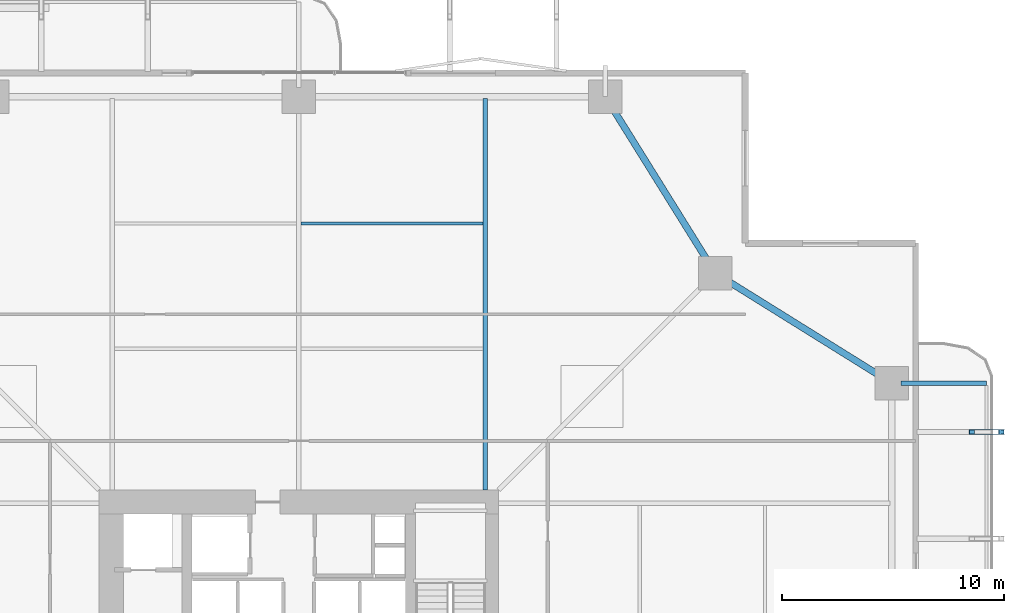
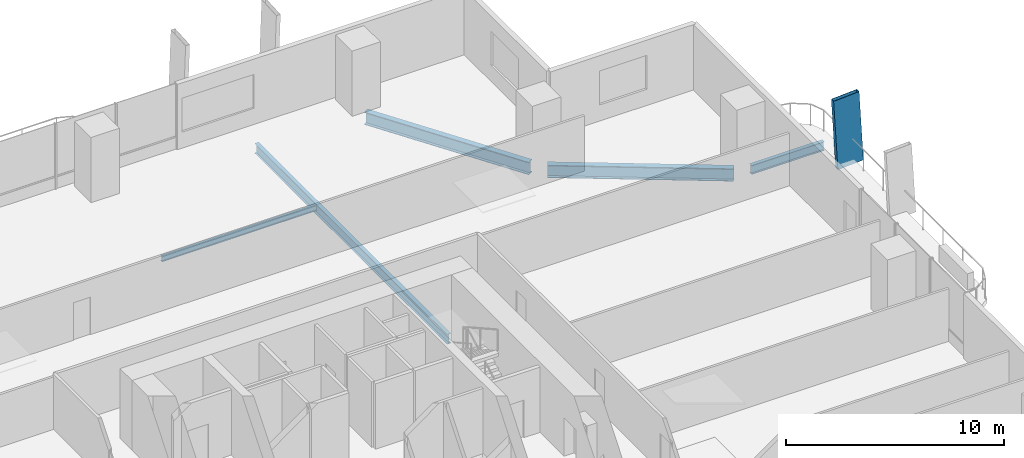
# One storey, part 14 of 24: 5 beams, 1 member.
"""IFC4 building model written with IfcOpenShell, lengths in metres."""

import ifcopenshell
import ifcopenshell.guid

model = None  # the IFC model being written
_history = None  # IfcOwnerHistory: only IFC2X3 demands one
_inside = {}  # id of a spatial element -> (the spatial element, [elements in it])
_under = {}  # id of a project, library or spatial element -> (it, [spatial elements below it])
_declared = {}  # id of a project -> (the project, [libraries it declares])
_typed = {}  # id of a type object -> (the type object, [elements of that type])
_made_of = {}  # id of a material, layer set ... -> (it, [elements and type objects made of it])


def new_model(schema):
    """Start an empty IFC model of exactly this schema.

    Asked for "IFC4X3", IfcOpenShell would pick the latest addendum, in which some entities
    have other attributes; the version numbers below select the first issue.
    IFC2X3 requires an IfcOwnerHistory on every rooted entity: one is made here for all.
    """
    global model, _history
    if schema == "IFC4X3":
        model = ifcopenshell.file(schema_version=(4, 3, 0, 0))
    else:
        model = ifcopenshell.file(schema=schema)
    _inside.clear()
    _under.clear()
    _declared.clear()
    _typed.clear()
    _made_of.clear()
    _history = None
    if model.schema == "IFC2X3":
        org = make("IfcOrganization", Name="unknown")
        user = make(
            "IfcPersonAndOrganization",
            ThePerson=make("IfcPerson", FamilyName="unknown"),
            TheOrganization=org,
        )
        app = make(
            "IfcApplication",
            ApplicationDeveloper=org,
            Version="unknown",
            ApplicationFullName="unknown",
            ApplicationIdentifier="unknown",
        )
        _history = make(
            "IfcOwnerHistory",
            OwningUser=user,
            OwningApplication=app,
            ChangeAction="ADDED",
            CreationDate=0,
        )
    return model


def make(cls, **values):
    """One entity of the class cls with the attributes given. An attribute that is None is left unset."""
    return model.create_entity(
        cls, **{name: value for name, value in values.items() if value is not None}
    )


def rooted(cls, **values):
    """An entity with a GlobalId (a new one), such as an element, a storey or a relation."""
    return make(cls, GlobalId=ifcopenshell.guid.new(), OwnerHistory=_history, **values)


def si_unit(unit_type, name, prefix=None):
    """IfcSIUnit, for example si_unit("LENGTHUNIT", "METRE", prefix="MILLI")."""
    return make("IfcSIUnit", UnitType=unit_type, Prefix=prefix, Name=name)


def assignment(units):
    """IfcUnitAssignment: the units of a project."""
    return None if units is None else make("IfcUnitAssignment", Units=units)


def point(xyz):
    """IfcCartesianPoint."""
    return None if xyz is None else make("IfcCartesianPoint", Coordinates=xyz)


def direction(xyz):
    """IfcDirection."""
    return None if xyz is None else make("IfcDirection", DirectionRatios=xyz)


def frame(location, z_axis=None, x_axis=None):
    """IfcAxis2Placement3D, a coordinate frame: its origin and axes. An axis left out is left unset."""
    return make(
        "IfcAxis2Placement3D",
        Location=point(location),
        Axis=direction(z_axis),
        RefDirection=direction(x_axis),
    )


def frame_2d(location, x_axis=None):
    """IfcAxis2Placement2D, a coordinate frame in the plane: its origin and x axis."""
    return make(
        "IfcAxis2Placement2D", Location=point(location), RefDirection=direction(x_axis)
    )


def origin():
    """The frame at (0, 0, 0) with its axes left unset."""
    return frame((0.0, 0.0, 0.0))


def origin_2d():
    """The frame at (0, 0) in the plane with its x axis left unset."""
    return frame_2d((0.0, 0.0))


def place(relative_to, where):
    """IfcLocalPlacement: puts the frame where relative to a parent placement (None: the world)."""
    return make(
        "IfcLocalPlacement", PlacementRelTo=relative_to, RelativePlacement=where
    )


def context(
    kind, dimensions, precision=None, world=None, true_north=None, identifier=None
):
    """IfcGeometricRepresentationContext, for example the 3D "Model" context."""
    return make(
        "IfcGeometricRepresentationContext",
        ContextIdentifier=identifier,
        ContextType=kind,
        CoordinateSpaceDimension=dimensions,
        Precision=precision,
        WorldCoordinateSystem=world,
        TrueNorth=true_north,
    )


def subcontext(parent, identifier, kind, view, scale=None):
    """IfcGeometricRepresentationSubContext, for example "Body" below "Model"."""
    return make(
        "IfcGeometricRepresentationSubContext",
        ContextIdentifier=identifier,
        ContextType=kind,
        ParentContext=parent,
        TargetScale=scale,
        TargetView=view,
    )


def project(units=None, contexts=None):
    """IfcProject with its units and contexts."""
    return rooted(
        "IfcProject",
        Name="project",
        RepresentationContexts=contexts,
        UnitsInContext=assignment(units),
    )


def spatial(cls, under=None, at=None, **own):
    """A site, building, storey or space (cls), placed at a placement, below another one or the project."""
    s = rooted(cls, ObjectPlacement=at, **own)
    if under is not None:
        _under.setdefault(under.id(), (under, []))[1].append(s)
    return s


def profile(cls, at=None, kind="AREA", **sizes):
    """A parametric profile (cls). Its sizes go by their IFC names, for example OverallWidth=200.0."""
    return make(cls, ProfileType=kind, Position=at, **sizes)


def hollow_rectangle(**sizes):
    """IfcRectangleHollowProfileDef."""
    return profile("IfcRectangleHollowProfileDef", **sizes)


def i_section(**sizes):
    """IfcIShapeProfileDef."""
    return profile("IfcIShapeProfileDef", **sizes)


def extrude(swept, where, along, depth):
    """IfcExtrudedAreaSolid: the profile swept, set in the frame where, extruded along a direction by depth."""
    return make(
        "IfcExtrudedAreaSolid",
        SweptArea=swept,
        Position=where,
        ExtrudedDirection=direction(along),
        Depth=depth,
    )


def shape(context_of_items, identifier, shape_type, items):
    """IfcShapeRepresentation: the items that make up one representation, for example the "Body"."""
    return make(
        "IfcShapeRepresentation",
        ContextOfItems=context_of_items,
        RepresentationIdentifier=identifier,
        RepresentationType=shape_type,
        Items=items,
    )


def material(Name=None, Category=None):
    """IfcMaterial."""
    return make("IfcMaterial", Name=Name, Category=Category)


def material_profile(
    of_material, cross_section, Name=None, Category=None, Priority=None
):
    """IfcMaterialProfile: a cross section and its material."""
    return make(
        "IfcMaterialProfile",
        Name=Name,
        Material=of_material,
        Profile=cross_section,
        Priority=Priority,
        Category=Category,
    )


def profile_set(profiles, Name=None, composite=None):
    """IfcMaterialProfileSet."""
    return make(
        "IfcMaterialProfileSet",
        Name=Name,
        MaterialProfiles=profiles,
        CompositeProfile=composite,
    )


def made_of(thing, what):
    """Note that an element or type object is made of a material, layer set ...; save() writes the relation."""
    if what is not None:
        _made_of.setdefault(what.id(), (what, []))[1].append(thing)
    return thing


def type_object(cls, material=None, **own):
    """A type object (cls), such as IfcWallType, which elements share."""
    return made_of(rooted(cls, **own), material)


def element(
    cls,
    number,
    at=None,
    inside=None,
    cuts=None,
    type_object=None,
    material=None,
    context=None,
    identifier="Body",
    shape_type=None,
    held_by="IfcProductDefinitionShape",
    body=None,
    shapes=None,
    **own,
):
    """One element of the class cls, such as IfcWall. Its Tag is "e" and its number.

    at: its placement. inside: the storey or other place that contains it. cuts: it is an
    opening in that element (IfcRelVoidsElement). A single representation is given by context,
    identifier, shape_type and body (its items); several are given by shapes. held_by: the class
    of the entity that holds the representations. save() writes the other relations.
    """
    e = rooted(cls, Tag="e%d" % number, ObjectPlacement=at, **own)
    if body is not None:
        shapes = [shape(context, identifier, shape_type, body)]
    if shapes is not None:
        e.Representation = make(held_by, Representations=shapes)
    if inside is not None:
        _inside.setdefault(inside.id(), (inside, []))[1].append(e)
    if cuts is not None:
        rooted(
            "IfcRelVoidsElement", RelatingBuildingElement=cuts, RelatedOpeningElement=e
        )
    if type_object is not None:
        _typed.setdefault(type_object.id(), (type_object, []))[1].append(e)
    return made_of(e, material)


def aggregate(whole, parts):
    """IfcRelAggregates: a whole, such as a stair, and the parts it consists of."""
    return rooted("IfcRelAggregates", RelatingObject=whole, RelatedObjects=parts)


def save(model, path):
    """Write the relations noted so far, then the file.

    IfcRelAggregates (storeys below a building ...), IfcRelContainedInSpatialStructure (elements
    in a storey), IfcRelDefinesByType, IfcRelAssociatesMaterial and IfcRelDeclares: one each for
    every whole, place, type object, material and project.
    """
    for whole, parts in _under.values():
        aggregate(whole, parts)
    for where, things in _inside.values():
        rooted(
            "IfcRelContainedInSpatialStructure",
            RelatedElements=things,
            RelatingStructure=where,
        )
    for kind, things in _typed.values():
        rooted("IfcRelDefinesByType", RelatedObjects=things, RelatingType=kind)
    for what, things in _made_of.values():
        rooted("IfcRelAssociatesMaterial", RelatedObjects=things, RelatingMaterial=what)
    for by, libraries in _declared.values():
        rooted("IfcRelDeclares", RelatingContext=by, RelatedDefinitions=libraries)
    model.write(path)


model = new_model("IFC4")

# Units and contexts
model_context = context("Model", 3, precision=1e-05, world=origin(), true_north=direction((0.0, 1.0)))
body_context = subcontext(model_context, "Body", "Model", "MODEL_VIEW")
ifc_project = project(units=[si_unit("LENGTHUNIT", "METRE"), si_unit("AREAUNIT", "SQUARE_METRE"), si_unit("VOLUMEUNIT", "CUBIC_METRE"), si_unit("PLANEANGLEUNIT", "RADIAN"), si_unit("MASSUNIT", "GRAM", prefix="KILO")], contexts=[model_context])

# Site, building, storey
site_placement = place(None, origin())
site = spatial("IfcSite", under=ifc_project, at=site_placement, CompositionType="ELEMENT")
building_placement = place(site_placement, origin())
building = spatial("IfcBuilding", under=site, at=building_placement, Name="Belovzor Exchange Tower", CompositionType="ELEMENT")
storey_placement = place(building_placement, frame((0.0, 0.0, 37.800048828125)))
storey = spatial("IfcBuildingStorey", under=building, at=storey_placement, Name="L08", CompositionType="ELEMENT", Elevation=37.800048828125)

# Member
ifc_material_1 = material(Name="Extruded Architectural Terracotta on Steel S355 Carrier", Category="masonry")
ifc_material_profile_1 = material_profile(ifc_material_1, hollow_rectangle(XDim=0.219970703125, YDim=1.35009765625, WallThickness=0.013916015625, at=origin_2d()))
ifc_profile_set_1 = profile_set([ifc_material_profile_1], Name="Extruded Architectural Terracotta on Steel S355 Carrier")
member_type = type_object("IfcMemberType", Name="Base Arc Sweeping Terracotta Pylon Fin 1450", PredefinedType="USERDEFINED", material=ifc_profile_set_1)
member_placement = place(storey_placement, frame((59.873046875, 40.39990234375, -0.25), z_axis=(-0.058121188646, 0.0, 0.998309534879), x_axis=(0.0, -1.0, 0.0)))
element("IfcMember", 1, at=member_placement, inside=storey, type_object=member_type, Name="FIN-TC145 Terracotta Facade Fin L08 E4", ObjectType="FIN", PredefinedType="USERDEFINED", context=body_context, shape_type="SweptSolid", body=[
    extrude(hollow_rectangle(XDim=0.219970703125, YDim=1.35009765625, WallThickness=0.013916015625, at=origin_2d()), origin(), (0.0, 0.0, 1.0), 3.906494140625),
])

# Beams
ifc_material_2 = material(Name="Steel S355", Category="steel")
ifc_material_profile_2 = material_profile(ifc_material_2, i_section(OverallWidth=0.199951171875, OverallDepth=0.5, WebThickness=0.01025390625, FlangeThickness=0.01611328125, at=origin_2d()))
ifc_profile_set_2 = profile_set([ifc_material_profile_2], Name="Steel S355")
beam_type_1 = type_object("IfcBeamType", Name="Planted Balcony Cantilever Beam IPE 500", PredefinedType="BEAM", material=ifc_profile_set_2)
beam_1_placement = place(storey_placement, frame((55.9130859375, 42.60009765625, -0.5), z_axis=(1.0, 0.0, 0.0), x_axis=(0.0, 1.0, 0.0)))
element("IfcBeam", 2, at=beam_1_placement, inside=storey, type_object=beam_type_1, Name="BC-500 Planted Balcony Cantilever Beam IPE 500", PredefinedType="BEAM", context=body_context, shape_type="SweptSolid", body=[
    extrude(i_section(OverallWidth=0.199951171875, OverallDepth=0.5, WebThickness=0.01025390625, FlangeThickness=0.01611328125, at=origin_2d()), origin(), (0.0, 0.0, 1.0), 3.849853515625),
])
ifc_material_3 = material(Name="Steel S355", Category="steel")
ifc_material_profile_3 = material_profile(ifc_material_3, i_section(OverallWidth=0.14990234375, OverallDepth=0.300048828125, WebThickness=0.007080078125, FlangeThickness=0.0107421875, at=origin_2d()))
ifc_profile_set_3 = profile_set([ifc_material_profile_3], Name="Steel S355")
beam_type_2 = type_object("IfcBeamType", Name="Secondary Trim Floor Joist IPE 300", PredefinedType="BEAM", material=ifc_profile_set_3)
beam_2_placement = place(storey_placement, frame((28.905029296875, 49.784912109375, -0.400146484375), z_axis=(1.0, 0.0, 0.0), x_axis=(0.0, 1.0, 0.0)))
element("IfcBeam", 3, at=beam_2_placement, inside=storey, type_object=beam_type_2, Name="FJ-300 Secondary Trim Floor Joist IPE 300", PredefinedType="BEAM", context=body_context, shape_type="SweptSolid", body=[
    extrude(i_section(OverallWidth=0.14990234375, OverallDepth=0.300048828125, WebThickness=0.007080078125, FlangeThickness=0.0107421875, at=origin_2d()), origin(), (0.0, 0.0, 1.0), 8.18994140625),
])
ifc_material_4 = material(Name="Steel S355", Category="steel")
ifc_material_profile_4 = material_profile(ifc_material_4, i_section(OverallWidth=0.300048828125, OverallDepth=0.699951171875, WebThickness=0.01708984375, FlangeThickness=0.031982421875, at=origin_2d()))
ifc_profile_set_4 = profile_set([ifc_material_profile_4], Name="Steel S355")
beam_type_3 = type_object("IfcBeamType", Name="Zone 1 Primary Perimeter Girder HEB 700", PredefinedType="BEAM", material=ifc_profile_set_4)
for number, where, z_axis, x_axis, name in (
    (4, (55.14990234375, 42.818115234375, -0.60009765625), (-0.848909251292, 0.528538629686, 0.0), (-0.528538629686, -0.848909251292, 0.0), "FG-Z1 Zone 1 Primary Perimeter Girder HEB 700"),
    (5, (47.33203125, 47.89990234375, -0.60009765625), (-0.528538629686, 0.848909251292, 0.0), (-0.848909251292, -0.528538629686, 0.0), "FG-Z1 Zone 1 Primary Perimeter Girder HEB 700"),
):
    element("IfcBeam", number, at=place(storey_placement, frame(where, z_axis=z_axis, x_axis=x_axis)), inside=storey, type_object=beam_type_3, Name=name, PredefinedType="BEAM", context=body_context, shape_type="SweptSolid", body=[
        extrude(i_section(OverallWidth=0.300048828125, OverallDepth=0.699951171875, WebThickness=0.01708984375, FlangeThickness=0.031982421875, at=origin_2d()), origin(), (0.0, 0.0, 1.0), 8.540283203125),
    ])
ifc_material_5 = material(Name="Steel S355", Category="steel")
ifc_material_profile_5 = material_profile(ifc_material_5, i_section(OverallWidth=0.2099609375, OverallDepth=0.550048828125, WebThickness=0.010986328125, FlangeThickness=0.01708984375, at=origin_2d()))
ifc_profile_set_5 = profile_set([ifc_material_profile_5], Name="Steel S355")
beam_type_4 = type_object("IfcBeamType", Name="Zone 1 Radial Composite Floor Beam IPE 550", PredefinedType="BEAM", material=ifc_profile_set_5)
beam_3_placement = place(storey_placement, frame((37.199951171875, 37.800048828125, -0.525146484375), z_axis=(0.0, 1.0, 0.0), x_axis=(-1.0, 0.0, 0.0)))
element("IfcBeam", 6, at=beam_3_placement, inside=storey, type_object=beam_type_4, Name="FB-550 Zone 1 Radial Composite Floor Beam IPE 550", PredefinedType="BEAM", context=body_context, shape_type="SweptSolid", body=[
    extrude(i_section(OverallWidth=0.2099609375, OverallDepth=0.550048828125, WebThickness=0.010986328125, FlangeThickness=0.01708984375, at=origin_2d()), origin(), (0.0, 0.0, 1.0), 17.625),
])

save(model, "model.ifc")
